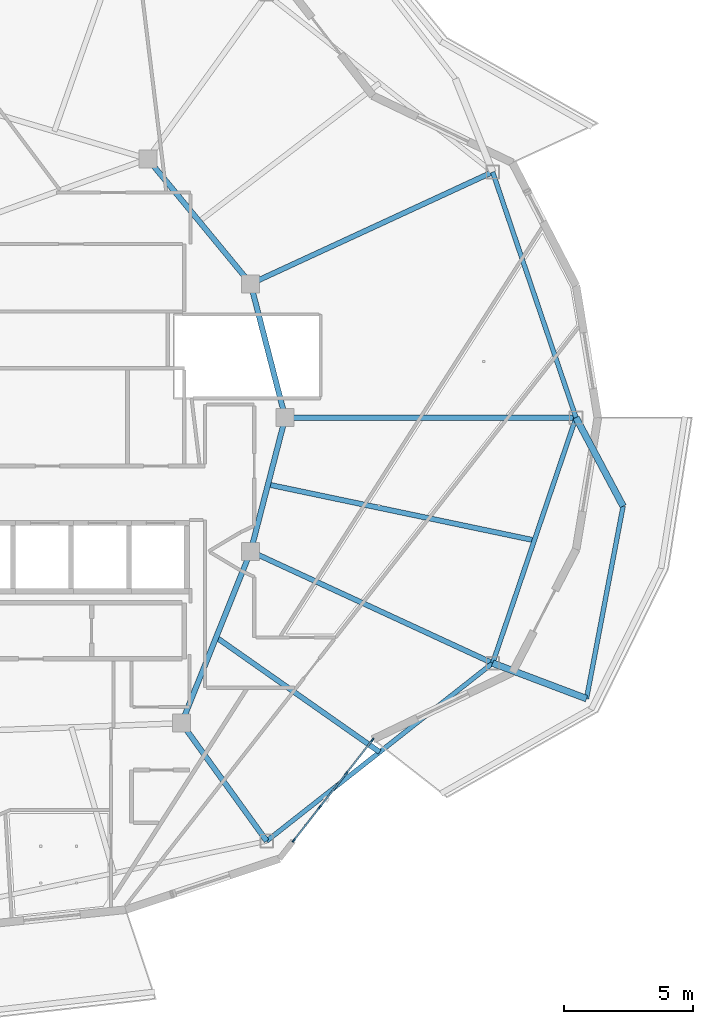
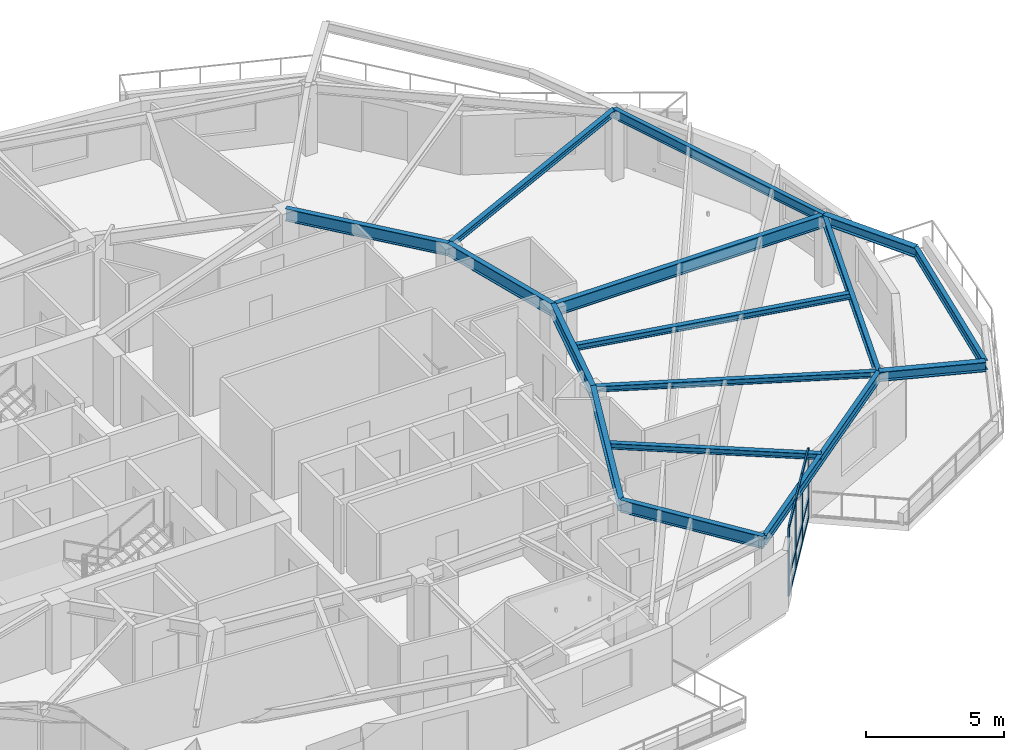
# One storey, part 4 of 19: 16 beams, 13 members, 1 element without a shape of its own.
"""IFC4 building model written with IfcOpenShell, lengths in metres."""

from ifc_helpers import new_model, si_unit, direction, frame, origin, origin_2d, place, context, subcontext, project, spatial, rectangle, i_section, extrude, material, layer, layer_set, material_profile, profile_set, type_object, element, aggregate, save


model = new_model("IFC4")

# Units and contexts
model_context = context("Model", 3, precision=1e-05, world=origin(), true_north=direction((0.0, 1.0)))
body_context = subcontext(model_context, "Body", "Model", "MODEL_VIEW")
ifc_project = project(units=[si_unit("LENGTHUNIT", "METRE"), si_unit("AREAUNIT", "SQUARE_METRE"), si_unit("VOLUMEUNIT", "CUBIC_METRE"), si_unit("PLANEANGLEUNIT", "RADIAN"), si_unit("MASSUNIT", "GRAM", prefix="KILO")], contexts=[model_context])

# Site, building, storey
site_placement = place(None, origin())
site = spatial("IfcSite", under=ifc_project, at=site_placement, CompositionType="ELEMENT")
building_placement = place(site_placement, origin())
building = spatial("IfcBuilding", under=site, at=building_placement, Name="Kolvaren Gate Tower and Convention Centre", CompositionType="ELEMENT")
storey_placement = place(building_placement, frame((0.0, 0.0, 212.89990234375)))
storey = spatial("IfcBuildingStorey", under=building, at=storey_placement, Name="L56", CompositionType="ELEMENT", Elevation=212.89990234375)

# Curtain wall, members
ifc_material_1 = material(Name="Anodized Architectural Aluminium Alloy 6063-T6", Category="aluminium")
ifc_layer = layer(ifc_material_1, 0.159912109375)
ifc_layer_set = layer_set([ifc_layer], Name="Anodized Architectural Aluminium Alloy 6063-T6")
curtain_wall_type = type_object("IfcCurtainWallType", Name="CW-RES-UNIT", PredefinedType="NOTDEFINED", material=ifc_layer_set)
curtain_wall_placement = place(storey_placement, origin())
curtain_wall = element("IfcCurtainWall", 1, at=curtain_wall_placement, inside=storey, type_object=curtain_wall_type, Name="Tower L56 Unitised Curtain Wall CW-RES-UNIT Bay 20", PredefinedType="NOTDEFINED")
ifc_material_profile_1 = material_profile(ifc_material_1, rectangle(XDim=0.06494140625, YDim=0.159912109375, at=origin_2d()), Name="CW-MEM-MUL-160")
ifc_profile_set_1 = profile_set([ifc_material_profile_1], Name="Anodized Architectural Aluminium Alloy 6063-T6")
member_type_1 = type_object("IfcMemberType", Name="CW-MEM-MUL-160", PredefinedType="MULLION", material=ifc_profile_set_1)
member_1_placement = place(storey_placement, frame((43.06005859375, 10.568115234375, 0.0), z_axis=(0.0, 0.0, 1.0), x_axis=(-0.787404459493, 0.616436709784, 0.0)))
member_1 = element("IfcMember", 2, at=member_1_placement, type_object=member_type_1, Name="CW-04 mullion 1", PredefinedType="MULLION", context=body_context, shape_type="SweptSolid", body=[
    extrude(rectangle(XDim=0.06494140625, YDim=0.159912109375, at=origin_2d()), origin(), (0.0, 0.0, 1.0), 3.030029296875),
])
member_2_placement = place(storey_placement, frame((44.07080078125, 11.859130859375, 0.0), z_axis=(0.0, 0.0, 1.0), x_axis=(-0.787404459493, 0.616436709784, 0.0)))
member_2 = element("IfcMember", 3, at=member_2_placement, type_object=member_type_1, Name="CW-04 mullion 2", PredefinedType="MULLION", context=body_context, shape_type="SweptSolid", body=[
    extrude(rectangle(XDim=0.06494140625, YDim=0.159912109375, at=origin_2d()), origin(), (0.0, 0.0, 1.0), 3.030029296875),
])
member_3_placement = place(storey_placement, frame((45.1015625, 13.176025390625, 0.0), z_axis=(0.0, 0.0, 1.0), x_axis=(-0.787404459493, 0.616436709784, 0.0)))
member_3 = element("IfcMember", 4, at=member_3_placement, type_object=member_type_1, Name="CW-04 mullion 3", PredefinedType="MULLION", context=body_context, shape_type="SweptSolid", body=[
    extrude(rectangle(XDim=0.06494140625, YDim=0.159912109375, at=origin_2d()), origin(), (0.0, 0.0, 1.0), 3.030029296875),
])
member_4_placement = place(storey_placement, frame((46.112548828125, 14.467041015625, 0.0), z_axis=(0.0, 0.0, 1.0), x_axis=(-0.787404459493, 0.616436709784, 0.0)))
member_4 = element("IfcMember", 5, at=member_4_placement, type_object=member_type_1, Name="CW-04 mullion 4", PredefinedType="MULLION", context=body_context, shape_type="SweptSolid", body=[
    extrude(rectangle(XDim=0.06494140625, YDim=0.159912109375, at=origin_2d()), origin(), (0.0, 0.0, 1.0), 3.030029296875),
])
ifc_material_profile_2 = material_profile(ifc_material_1, rectangle(XDim=0.06494140625, YDim=0.159912109375, at=origin_2d()), Name="CW-MEM-TRN-160")
ifc_profile_set_2 = profile_set([ifc_material_profile_2], Name="Anodized Architectural Aluminium Alloy 6063-T6")
member_type_2 = type_object("IfcMemberType", Name="CW-MEM-TRN-160", PredefinedType="USERDEFINED", material=ifc_profile_set_2)
member_5_placement = place(storey_placement, frame((43.080078125, 10.59375, 0.03271484375), z_axis=(0.616416943475, 0.787419933579, 0.0), x_axis=(-0.787419933579, 0.616416943475, 0.0)))
member_5 = element("IfcMember", 6, at=member_5_placement, type_object=member_type_2, Name="CW-04 transom 1.1", ObjectType="TRANSOM", PredefinedType="USERDEFINED", context=body_context, shape_type="SweptSolid", body=[
    extrude(rectangle(XDim=0.06494140625, YDim=0.159912109375, at=origin_2d()), origin(), (0.0, 0.0, 1.0), 1.57470703125),
])
member_6_placement = place(storey_placement, frame((43.080078125, 10.59375, 0.85009765625), z_axis=(0.616416943475, 0.787419933579, 0.0), x_axis=(-0.787419933579, 0.616416943475, 0.0)))
member_6 = element("IfcMember", 7, at=member_6_placement, type_object=member_type_2, Name="CW-04 transom 1.2", ObjectType="TRANSOM", PredefinedType="USERDEFINED", context=body_context, shape_type="SweptSolid", body=[
    extrude(rectangle(XDim=0.06494140625, YDim=0.159912109375, at=origin_2d()), origin(), (0.0, 0.0, 1.0), 1.57470703125),
])
member_7_placement = place(storey_placement, frame((43.080078125, 10.59375, 2.99755859375), z_axis=(0.616416943475, 0.787419933579, 0.0), x_axis=(-0.787419933579, 0.616416943475, 0.0)))
member_7 = element("IfcMember", 8, at=member_7_placement, type_object=member_type_2, Name="CW-04 transom 1.3", ObjectType="TRANSOM", PredefinedType="USERDEFINED", context=body_context, shape_type="SweptSolid", body=[
    extrude(rectangle(XDim=0.06494140625, YDim=0.159912109375, at=origin_2d()), origin(), (0.0, 0.0, 1.0), 1.57470703125),
])
member_8_placement = place(storey_placement, frame((44.0908203125, 11.884765625, 0.03271484375), z_axis=(0.616398363045, 0.787434478567, 0.0), x_axis=(-0.787434478567, 0.616398363045, 0.0)))
member_8 = element("IfcMember", 9, at=member_8_placement, type_object=member_type_2, Name="CW-04 transom 2.1", ObjectType="TRANSOM", PredefinedType="USERDEFINED", context=body_context, shape_type="SweptSolid", body=[
    extrude(rectangle(XDim=0.06494140625, YDim=0.159912109375, at=origin_2d()), origin(), (0.0, 0.0, 1.0), 1.607177734375),
])
member_9_placement = place(storey_placement, frame((44.0908203125, 11.884765625, 0.85009765625), z_axis=(0.616398363045, 0.787434478567, 0.0), x_axis=(-0.787434478567, 0.616398363045, 0.0)))
member_9 = element("IfcMember", 10, at=member_9_placement, type_object=member_type_2, Name="CW-04 transom 2.2", ObjectType="TRANSOM", PredefinedType="USERDEFINED", context=body_context, shape_type="SweptSolid", body=[
    extrude(rectangle(XDim=0.06494140625, YDim=0.159912109375, at=origin_2d()), origin(), (0.0, 0.0, 1.0), 1.607177734375),
])
member_10_placement = place(storey_placement, frame((44.0908203125, 11.884765625, 2.99755859375), z_axis=(0.616398363045, 0.787434478567, 0.0), x_axis=(-0.787434478567, 0.616398363045, 0.0)))
member_10 = element("IfcMember", 11, at=member_10_placement, type_object=member_type_2, Name="CW-04 transom 2.3", ObjectType="TRANSOM", PredefinedType="USERDEFINED", context=body_context, shape_type="SweptSolid", body=[
    extrude(rectangle(XDim=0.06494140625, YDim=0.159912109375, at=origin_2d()), origin(), (0.0, 0.0, 1.0), 1.607177734375),
])
member_11_placement = place(storey_placement, frame((45.12158203125, 13.20166015625, 0.03271484375), z_axis=(0.616588309904, 0.7872857525, 0.0), x_axis=(-0.7872857525, 0.616588309904, 0.0)))
member_11 = element("IfcMember", 12, at=member_11_placement, type_object=member_type_2, Name="CW-04 transom 3.1", ObjectType="TRANSOM", PredefinedType="USERDEFINED", context=body_context, shape_type="SweptSolid", body=[
    extrude(rectangle(XDim=0.06494140625, YDim=0.159912109375, at=origin_2d()), origin(), (0.0, 0.0, 1.0), 1.57470703125),
])
member_12_placement = place(storey_placement, frame((45.12158203125, 13.20166015625, 0.85009765625), z_axis=(0.616588309904, 0.7872857525, 0.0), x_axis=(-0.7872857525, 0.616588309904, 0.0)))
member_12 = element("IfcMember", 13, at=member_12_placement, type_object=member_type_2, Name="CW-04 transom 3.2", ObjectType="TRANSOM", PredefinedType="USERDEFINED", context=body_context, shape_type="SweptSolid", body=[
    extrude(rectangle(XDim=0.06494140625, YDim=0.159912109375, at=origin_2d()), origin(), (0.0, 0.0, 1.0), 1.57470703125),
])
member_13_placement = place(storey_placement, frame((45.12158203125, 13.20166015625, 2.99755859375), z_axis=(0.616588309904, 0.7872857525, 0.0), x_axis=(-0.7872857525, 0.616588309904, 0.0)))
member_13 = element("IfcMember", 14, at=member_13_placement, type_object=member_type_2, Name="CW-04 transom 3.3", ObjectType="TRANSOM", PredefinedType="USERDEFINED", context=body_context, shape_type="SweptSolid", body=[
    extrude(rectangle(XDim=0.06494140625, YDim=0.159912109375, at=origin_2d()), origin(), (0.0, 0.0, 1.0), 1.57470703125),
])
aggregate(curtain_wall, [member_1, member_2, member_3, member_4, member_5, member_6, member_7, member_8, member_9, member_10, member_11, member_12, member_13])

# Beams
ifc_material_2 = material(Name="Structural steel ASTM A992 Grade 345 MPa", Category="steel")
ifc_material_profile_3 = material_profile(ifc_material_2, i_section(OverallWidth=0.260009765625, OverallDepth=0.419921875, WebThickness=0.013427734375, FlangeThickness=0.0224609375, at=origin_2d()), Name="W410X132")
ifc_profile_set_3 = profile_set([ifc_material_profile_3], Name="Structural steel ASTM A992 Grade 345 MPa")
beam_type_1 = type_object("IfcBeamType", Name="STR-BM-W410X132", PredefinedType="BEAM", material=ifc_profile_set_3)
for number, where, z_axis, x_axis, name in (
    (15, (50.787353515625, 17.456298828125, 2.820556640625), (0.935223524141, -0.354057848229, 0.0), (0.354057848229, 0.935223524141, 0.0), "Tower L57 Planted Balcony Outrigger Cantilever BC-4A"),
    (16, (54.02490234375, 27.0, 2.820556640625), (0.469557949111, -0.882901655014, 0.0), (0.882901655014, 0.469557949111, 0.0), "Tower L57 Planted Balcony Outrigger Cantilever BC-4B"),
):
    element("IfcBeam", number, at=place(storey_placement, frame(where, z_axis=z_axis, x_axis=x_axis)), inside=storey, type_object=beam_type_1, Name=name, PredefinedType="BEAM", context=body_context, shape_type="SweptSolid", body=[
        extrude(i_section(OverallWidth=0.260009765625, OverallDepth=0.419921875, WebThickness=0.013427734375, FlangeThickness=0.0224609375, at=origin_2d()), origin(), (0.0, 0.0, 1.0), 3.900146484375),
    ])
ifc_material_profile_4 = material_profile(ifc_material_2, i_section(OverallWidth=0.2119140625, OverallDepth=0.5439453125, WebThickness=0.01318359375, FlangeThickness=0.021240234375, at=origin_2d()), Name="W530X123")
ifc_profile_set_4 = profile_set([ifc_material_profile_4], Name="Structural steel ASTM A992 Grade 345 MPa")
beam_type_2 = type_object("IfcBeamType", Name="STR-BM-W530X123", PredefinedType="BEAM", material=ifc_profile_set_4)
beam_1_placement = place(storey_placement, frame((42.72509765625, 27.0, 2.758056640625), z_axis=(-0.250091133936, -0.968222301296, 0.0), x_axis=(0.968222301296, -0.250091133936, 0.0)))
element("IfcBeam", 17, at=beam_1_placement, inside=storey, type_object=beam_type_2, Name="Tower L56 Primary Ring Girder G-01", PredefinedType="BEAM", context=body_context, shape_type="SweptSolid", body=[
    extrude(i_section(OverallWidth=0.2119140625, OverallDepth=0.5439453125, WebThickness=0.01318359375, FlangeThickness=0.021240234375, at=origin_2d()), origin(), (0.0, 0.0, 1.0), 5.3701171875),
])
beam_2_placement = place(storey_placement, frame((41.382080078125, 32.199462890625, 2.758056640625), z_axis=(-0.635884066011, 0.771784590798, 0.0), x_axis=(-0.771784590798, -0.635884066011, 0.0)))
element("IfcBeam", 18, at=beam_2_placement, inside=storey, type_object=beam_type_2, Name="Tower L56 Primary Ring Girder G-02", PredefinedType="BEAM", context=body_context, shape_type="SweptSolid", body=[
    extrude(i_section(OverallWidth=0.2119140625, OverallDepth=0.5439453125, WebThickness=0.01318359375, FlangeThickness=0.021240234375, at=origin_2d()), origin(), (0.0, 0.0, 1.0), 6.291259765625),
])
beam_3_placement = place(storey_placement, frame((38.6982421875, 15.12060546875, 2.758056640625), z_axis=(0.372811100169, 0.927907260232, 0.0), x_axis=(-0.927907260232, 0.372811100169, 0.0)))
element("IfcBeam", 19, at=beam_3_placement, inside=storey, type_object=beam_type_2, Name="Tower L56 Primary Ring Girder G-09", PredefinedType="BEAM", context=body_context, shape_type="SweptSolid", body=[
    extrude(i_section(OverallWidth=0.2119140625, OverallDepth=0.5439453125, WebThickness=0.01318359375, FlangeThickness=0.021240234375, at=origin_2d()), origin(), (0.0, 0.0, 1.0), 7.198974609375),
])
beam_4_placement = place(storey_placement, frame((42.72509765625, 27.0, 2.758056640625), z_axis=(-0.250091133936, 0.968222301296, 0.0), x_axis=(-0.968222301296, -0.250091133936, 0.0)))
element("IfcBeam", 20, at=beam_4_placement, inside=storey, type_object=beam_type_2, Name="Tower L56 Primary Ring Girder G-12", PredefinedType="BEAM", context=body_context, shape_type="SweptSolid", body=[
    extrude(i_section(OverallWidth=0.2119140625, OverallDepth=0.5439453125, WebThickness=0.01318359375, FlangeThickness=0.021240234375, at=origin_2d()), origin(), (0.0, 0.0, 1.0), 5.3701171875),
])
beam_5_placement = place(storey_placement, frame((42.72509765625, 27.0, 2.758056640625), z_axis=(1.0, 0.0, 0.0), x_axis=(0.0, 1.0, 0.0)))
element("IfcBeam", 21, at=beam_5_placement, inside=storey, type_object=beam_type_2, Name="Tower L56 Radial Floor Girder RB-01", PredefinedType="BEAM", context=body_context, shape_type="SweptSolid", body=[
    extrude(i_section(OverallWidth=0.2119140625, OverallDepth=0.5439453125, WebThickness=0.01318359375, FlangeThickness=0.021240234375, at=origin_2d()), origin(), (0.0, 0.0, 1.0), 11.2998046875),
])
beam_6_placement = place(storey_placement, frame((38.6982421875, 15.12060546875, 2.758056640625), z_axis=(0.585218993275, -0.810875286286, 0.0), x_axis=(0.810875286286, 0.585218993275, 0.0)))
element("IfcBeam", 22, at=beam_6_placement, inside=storey, type_object=beam_type_2, Name="Tower L56 Radial Floor Girder RB-11", PredefinedType="BEAM", context=body_context, shape_type="SweptSolid", body=[
    extrude(i_section(OverallWidth=0.2119140625, OverallDepth=0.5439453125, WebThickness=0.01318359375, FlangeThickness=0.021240234375, at=origin_2d()), origin(), (0.0, 0.0, 1.0), 5.646484375),
])
ifc_material_profile_5 = material_profile(ifc_material_2, i_section(OverallWidth=0.202880859375, OverallDepth=0.251953125, WebThickness=0.008056640625, FlangeThickness=0.013427734375, at=origin_2d()), Name="W250X58")
ifc_profile_set_5 = profile_set([ifc_material_profile_5], Name="Structural steel ASTM A992 Grade 345 MPa")
beam_type_3 = type_object("IfcBeamType", Name="STR-JS-W250X58", PredefinedType="JOIST", material=ifc_profile_set_5)
for number, where, z_axis, x_axis, name in (
    (23, (41.382080078125, 32.199462890625, 2.904052734375), (0.907836575129, 0.419324162025, 0.0), (-0.419324162025, 0.907836575129, 0.0), "Tower L56 Radial Floor Girder RB-02"),
    (24, (41.382080078125, 21.800537109375, 2.904052734375), (0.907836575129, -0.419324162025, 0.0), (0.419324162025, 0.907836575129, 0.0), "Tower L56 Radial Floor Girder RB-12"),
):
    element("IfcBeam", number, at=place(storey_placement, frame(where, z_axis=z_axis, x_axis=x_axis)), inside=storey, type_object=beam_type_3, Name=name, PredefinedType="JOIST", context=body_context, shape_type="SweptSolid", body=[
        extrude(i_section(OverallWidth=0.202880859375, OverallDepth=0.251953125, WebThickness=0.008056640625, FlangeThickness=0.013427734375, at=origin_2d()), origin(), (0.0, 0.0, 1.0), 10.360107421875),
    ])
beam_7_placement = place(storey_placement, frame((40.040283203125, 18.46044921875, 2.904052734375), z_axis=(0.81845266589, -0.574573958423, 0.0), x_axis=(0.574573958423, 0.81845266589, 0.0)))
element("IfcBeam", 25, at=beam_7_placement, inside=storey, type_object=beam_type_3, Name="Tower L56 Secondary Composite Floor Joist J-11.1", PredefinedType="JOIST", context=body_context, shape_type="SweptSolid", body=[
    extrude(i_section(OverallWidth=0.202880859375, OverallDepth=0.251953125, WebThickness=0.008056640625, FlangeThickness=0.013427734375, at=origin_2d()), origin(), (0.0, 0.0, 1.0), 7.764404296875),
])
beam_8_placement = place(storey_placement, frame((42.0537109375, 24.400146484375, 2.904052734375), z_axis=(0.978694513543, -0.205321818519, 0.0), x_axis=(0.205321818519, 0.978694513543, 0.0)))
element("IfcBeam", 26, at=beam_8_placement, inside=storey, type_object=beam_type_3, Name="Tower L56 Secondary Composite Floor Joist J-12.1", PredefinedType="JOIST", context=body_context, shape_type="SweptSolid", body=[
    extrude(i_section(OverallWidth=0.202880859375, OverallDepth=0.251953125, WebThickness=0.008056640625, FlangeThickness=0.013427734375, at=origin_2d()), origin(), (0.0, 0.0, 1.0), 10.577880859375),
])
ifc_material_profile_6 = material_profile(ifc_material_2, i_section(OverallWidth=0.180908203125, OverallDepth=0.4169921875, WebThickness=0.010986328125, FlangeThickness=0.018310546875, at=origin_2d()), Name="W410X85")
ifc_profile_set_6 = profile_set([ifc_material_profile_6], Name="Structural steel ASTM A992 Grade 345 MPa")
beam_type_4 = type_object("IfcBeamType", Name="STR-SP-W410X85", PredefinedType="SPANDREL", material=ifc_profile_set_6)
beam_9_placement = place(storey_placement, frame((54.02490234375, 27.0, 2.821533203125), z_axis=(-0.321252507379, 0.946993572577, 0.0), x_axis=(-0.946993572577, -0.321252507379, 0.0)))
element("IfcBeam", 27, at=beam_9_placement, inside=storey, type_object=beam_type_4, Name="Tower L56 Perimeter Spandrel Beam SP-01", PredefinedType="SPANDREL", context=body_context, shape_type="SweptSolid", body=[
    extrude(i_section(OverallWidth=0.180908203125, OverallDepth=0.4169921875, WebThickness=0.010986328125, FlangeThickness=0.018310546875, at=origin_2d()), origin(), (0.0, 0.0, 1.0), 10.077880859375),
])
beam_10_placement = place(storey_placement, frame((42.002685546875, 10.5419921875, 2.821533203125), z_axis=(0.78579365551, 0.618488747643, 0.0), x_axis=(-0.618488747643, 0.78579365551, 0.0)))
element("IfcBeam", 28, at=beam_10_placement, inside=storey, type_object=beam_type_4, Name="Tower L56 Perimeter Spandrel Beam SP-11", PredefinedType="SPANDREL", context=body_context, shape_type="SweptSolid", body=[
    extrude(i_section(OverallWidth=0.180908203125, OverallDepth=0.4169921875, WebThickness=0.010986328125, FlangeThickness=0.018310546875, at=origin_2d()), origin(), (0.0, 0.0, 1.0), 11.179443359375),
])
beam_11_placement = place(storey_placement, frame((50.787353515625, 17.456298828125, 2.821533203125), z_axis=(0.321252507379, 0.946993572577, 0.0), x_axis=(-0.946993572577, 0.321252507379, 0.0)))
element("IfcBeam", 29, at=beam_11_placement, inside=storey, type_object=beam_type_4, Name="Tower L56 Perimeter Spandrel Beam SP-12", PredefinedType="SPANDREL", context=body_context, shape_type="SweptSolid", body=[
    extrude(i_section(OverallWidth=0.180908203125, OverallDepth=0.4169921875, WebThickness=0.010986328125, FlangeThickness=0.018310546875, at=origin_2d()), origin(), (0.0, 0.0, 1.0), 10.077880859375),
])
beam_12_placement = place(storey_placement, frame((54.434814453125, 16.075439453125, 2.822021484375), z_axis=(0.186655385459, 0.982425451156, 0.0), x_axis=(-0.982425451156, 0.186655385459, 0.0)))
element("IfcBeam", 30, at=beam_12_placement, inside=storey, type_object=beam_type_4, Name="Tower L57 Planted Balcony Header Tie Beam BT-4", PredefinedType="SPANDREL", context=body_context, shape_type="SweptSolid", body=[
    extrude(i_section(OverallWidth=0.180908203125, OverallDepth=0.4169921875, WebThickness=0.010986328125, FlangeThickness=0.018310546875, at=origin_2d()), origin(), (0.0, 0.0, 1.0), 7.614990234375),
])

save(model, "model.ifc")
